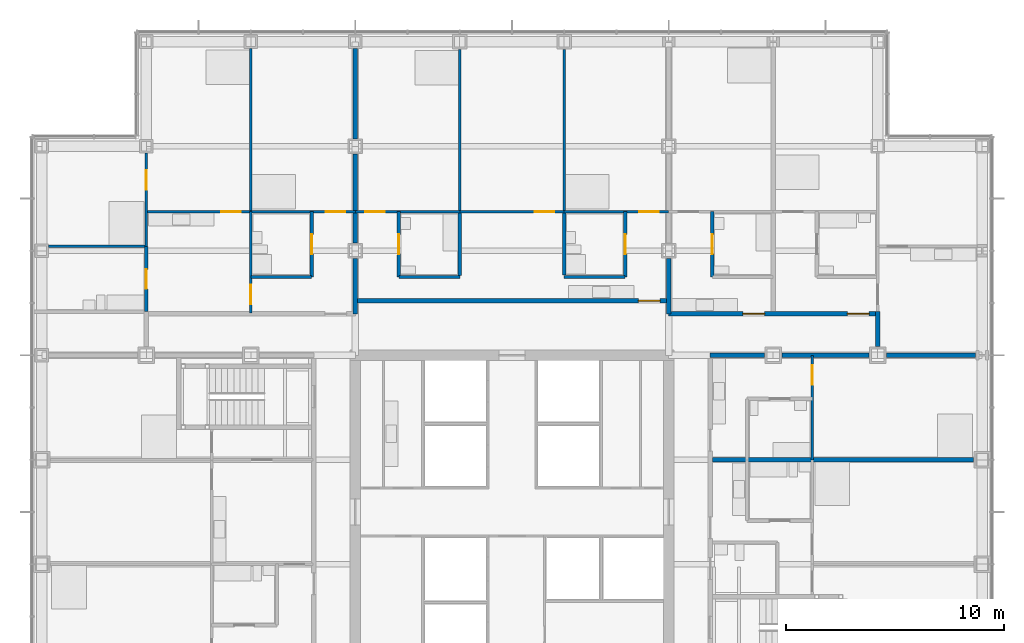
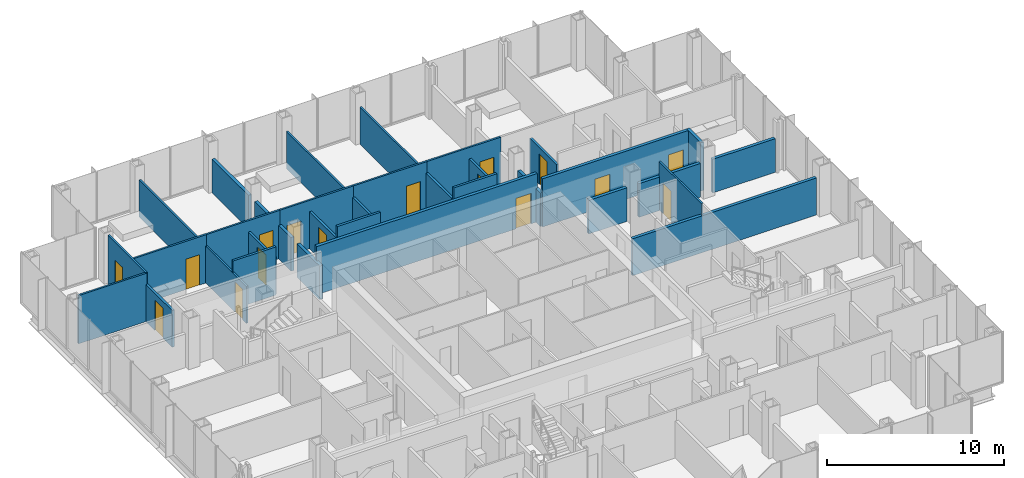
# One storey, part 17 of 21: 33 walls, 16 doors, 16 openings.
"""IFC4 building model written with IfcOpenShell, lengths in metres."""

import ifcopenshell
import ifcopenshell.guid

model = None  # the IFC model being written
_history = None  # IfcOwnerHistory: only IFC2X3 demands one
_inside = {}  # id of a spatial element -> (the spatial element, [elements in it])
_under = {}  # id of a project, library or spatial element -> (it, [spatial elements below it])
_declared = {}  # id of a project -> (the project, [libraries it declares])
_typed = {}  # id of a type object -> (the type object, [elements of that type])
_made_of = {}  # id of a material, layer set ... -> (it, [elements and type objects made of it])


def new_model(schema):
    """Start an empty IFC model of exactly this schema.

    Asked for "IFC4X3", IfcOpenShell would pick the latest addendum, in which some entities
    have other attributes; the version numbers below select the first issue.
    IFC2X3 requires an IfcOwnerHistory on every rooted entity: one is made here for all.
    """
    global model, _history
    if schema == "IFC4X3":
        model = ifcopenshell.file(schema_version=(4, 3, 0, 0))
    else:
        model = ifcopenshell.file(schema=schema)
    _inside.clear()
    _under.clear()
    _declared.clear()
    _typed.clear()
    _made_of.clear()
    _history = None
    if model.schema == "IFC2X3":
        org = make("IfcOrganization", Name="unknown")
        user = make(
            "IfcPersonAndOrganization",
            ThePerson=make("IfcPerson", FamilyName="unknown"),
            TheOrganization=org,
        )
        app = make(
            "IfcApplication",
            ApplicationDeveloper=org,
            Version="unknown",
            ApplicationFullName="unknown",
            ApplicationIdentifier="unknown",
        )
        _history = make(
            "IfcOwnerHistory",
            OwningUser=user,
            OwningApplication=app,
            ChangeAction="ADDED",
            CreationDate=0,
        )
    return model


def make(cls, **values):
    """One entity of the class cls with the attributes given. An attribute that is None is left unset."""
    return model.create_entity(
        cls, **{name: value for name, value in values.items() if value is not None}
    )


def rooted(cls, **values):
    """An entity with a GlobalId (a new one), such as an element, a storey or a relation."""
    return make(cls, GlobalId=ifcopenshell.guid.new(), OwnerHistory=_history, **values)


def si_unit(unit_type, name, prefix=None):
    """IfcSIUnit, for example si_unit("LENGTHUNIT", "METRE", prefix="MILLI")."""
    return make("IfcSIUnit", UnitType=unit_type, Prefix=prefix, Name=name)


def assignment(units):
    """IfcUnitAssignment: the units of a project."""
    return None if units is None else make("IfcUnitAssignment", Units=units)


def point(xyz):
    """IfcCartesianPoint."""
    return None if xyz is None else make("IfcCartesianPoint", Coordinates=xyz)


def direction(xyz):
    """IfcDirection."""
    return None if xyz is None else make("IfcDirection", DirectionRatios=xyz)


def frame(location, z_axis=None, x_axis=None):
    """IfcAxis2Placement3D, a coordinate frame: its origin and axes. An axis left out is left unset."""
    return make(
        "IfcAxis2Placement3D",
        Location=point(location),
        Axis=direction(z_axis),
        RefDirection=direction(x_axis),
    )


def frame_2d(location, x_axis=None):
    """IfcAxis2Placement2D, a coordinate frame in the plane: its origin and x axis."""
    return make(
        "IfcAxis2Placement2D", Location=point(location), RefDirection=direction(x_axis)
    )


def origin():
    """The frame at (0, 0, 0) with its axes left unset."""
    return frame((0.0, 0.0, 0.0))


def place(relative_to, where):
    """IfcLocalPlacement: puts the frame where relative to a parent placement (None: the world)."""
    return make(
        "IfcLocalPlacement", PlacementRelTo=relative_to, RelativePlacement=where
    )


def context(
    kind, dimensions, precision=None, world=None, true_north=None, identifier=None
):
    """IfcGeometricRepresentationContext, for example the 3D "Model" context."""
    return make(
        "IfcGeometricRepresentationContext",
        ContextIdentifier=identifier,
        ContextType=kind,
        CoordinateSpaceDimension=dimensions,
        Precision=precision,
        WorldCoordinateSystem=world,
        TrueNorth=true_north,
    )


def subcontext(parent, identifier, kind, view, scale=None):
    """IfcGeometricRepresentationSubContext, for example "Body" below "Model"."""
    return make(
        "IfcGeometricRepresentationSubContext",
        ContextIdentifier=identifier,
        ContextType=kind,
        ParentContext=parent,
        TargetScale=scale,
        TargetView=view,
    )


def project(units=None, contexts=None):
    """IfcProject with its units and contexts."""
    return rooted(
        "IfcProject",
        Name="project",
        RepresentationContexts=contexts,
        UnitsInContext=assignment(units),
    )


def spatial(cls, under=None, at=None, **own):
    """A site, building, storey or space (cls), placed at a placement, below another one or the project."""
    s = rooted(cls, ObjectPlacement=at, **own)
    if under is not None:
        _under.setdefault(under.id(), (under, []))[1].append(s)
    return s


def profile(cls, at=None, kind="AREA", **sizes):
    """A parametric profile (cls). Its sizes go by their IFC names, for example OverallWidth=200.0."""
    return make(cls, ProfileType=kind, Position=at, **sizes)


def rectangle(**sizes):
    """IfcRectangleProfileDef."""
    return profile("IfcRectangleProfileDef", **sizes)


def extrude(swept, where, along, depth):
    """IfcExtrudedAreaSolid: the profile swept, set in the frame where, extruded along a direction by depth."""
    return make(
        "IfcExtrudedAreaSolid",
        SweptArea=swept,
        Position=where,
        ExtrudedDirection=direction(along),
        Depth=depth,
    )


def shape(context_of_items, identifier, shape_type, items):
    """IfcShapeRepresentation: the items that make up one representation, for example the "Body"."""
    return make(
        "IfcShapeRepresentation",
        ContextOfItems=context_of_items,
        RepresentationIdentifier=identifier,
        RepresentationType=shape_type,
        Items=items,
    )


def material(Name=None, Category=None):
    """IfcMaterial."""
    return make("IfcMaterial", Name=Name, Category=Category)


def layer(
    of_material, thickness, ventilated=None, Name=None, Category=None, Priority=None
):
    """IfcMaterialLayer: one layer of a wall or slab, of a material (None: an air gap)."""
    return make(
        "IfcMaterialLayer",
        Material=of_material,
        LayerThickness=thickness,
        IsVentilated=ventilated,
        Name=Name,
        Category=Category,
        Priority=Priority,
    )


def layer_set(layers, Name=None):
    """IfcMaterialLayerSet."""
    return make("IfcMaterialLayerSet", MaterialLayers=layers, LayerSetName=Name)


def made_of(thing, what):
    """Note that an element or type object is made of a material, layer set ...; save() writes the relation."""
    if what is not None:
        _made_of.setdefault(what.id(), (what, []))[1].append(thing)
    return thing


def type_object(cls, material=None, **own):
    """A type object (cls), such as IfcWallType, which elements share."""
    return made_of(rooted(cls, **own), material)


def element(
    cls,
    number,
    at=None,
    inside=None,
    cuts=None,
    type_object=None,
    material=None,
    context=None,
    identifier="Body",
    shape_type=None,
    held_by="IfcProductDefinitionShape",
    body=None,
    shapes=None,
    **own,
):
    """One element of the class cls, such as IfcWall. Its Tag is "e" and its number.

    at: its placement. inside: the storey or other place that contains it. cuts: it is an
    opening in that element (IfcRelVoidsElement). A single representation is given by context,
    identifier, shape_type and body (its items); several are given by shapes. held_by: the class
    of the entity that holds the representations. save() writes the other relations.
    """
    e = rooted(cls, Tag="e%d" % number, ObjectPlacement=at, **own)
    if body is not None:
        shapes = [shape(context, identifier, shape_type, body)]
    if shapes is not None:
        e.Representation = make(held_by, Representations=shapes)
    if inside is not None:
        _inside.setdefault(inside.id(), (inside, []))[1].append(e)
    if cuts is not None:
        rooted(
            "IfcRelVoidsElement", RelatingBuildingElement=cuts, RelatedOpeningElement=e
        )
    if type_object is not None:
        _typed.setdefault(type_object.id(), (type_object, []))[1].append(e)
    return made_of(e, material)


def fill(opening, filler):
    """IfcRelFillsElement: the door or window that sits in an opening."""
    return rooted(
        "IfcRelFillsElement",
        RelatingOpeningElement=opening,
        RelatedBuildingElement=filler,
    )


def aggregate(whole, parts):
    """IfcRelAggregates: a whole, such as a stair, and the parts it consists of."""
    return rooted("IfcRelAggregates", RelatingObject=whole, RelatedObjects=parts)


def save(model, path):
    """Write the relations noted so far, then the file.

    IfcRelAggregates (storeys below a building ...), IfcRelContainedInSpatialStructure (elements
    in a storey), IfcRelDefinesByType, IfcRelAssociatesMaterial and IfcRelDeclares: one each for
    every whole, place, type object, material and project.
    """
    for whole, parts in _under.values():
        aggregate(whole, parts)
    for where, things in _inside.values():
        rooted(
            "IfcRelContainedInSpatialStructure",
            RelatedElements=things,
            RelatingStructure=where,
        )
    for kind, things in _typed.values():
        rooted("IfcRelDefinesByType", RelatedObjects=things, RelatingType=kind)
    for what, things in _made_of.values():
        rooted("IfcRelAssociatesMaterial", RelatedObjects=things, RelatingMaterial=what)
    for by, libraries in _declared.values():
        rooted("IfcRelDeclares", RelatingContext=by, RelatedDefinitions=libraries)
    model.write(path)


model = new_model("IFC4")

# Units and contexts
model_context = context("Model", 3, precision=1e-05, world=origin(), true_north=direction((0.0, 1.0)))
body_context = subcontext(model_context, "Body", "Model", "MODEL_VIEW")
ifc_project = project(units=[si_unit("LENGTHUNIT", "METRE"), si_unit("AREAUNIT", "SQUARE_METRE"), si_unit("VOLUMEUNIT", "CUBIC_METRE"), si_unit("PLANEANGLEUNIT", "RADIAN"), si_unit("MASSUNIT", "GRAM", prefix="KILO")], contexts=[model_context])

# Site, building, storey
site_placement = place(None, origin())
site = spatial("IfcSite", under=ifc_project, at=site_placement, CompositionType="ELEMENT")
building_placement = place(site_placement, origin())
building = spatial("IfcBuilding", under=site, at=building_placement, Name="Kvirike Care Tower", CompositionType="ELEMENT")
storey_placement = place(building_placement, frame((0.0, 0.0, 37.5)))
storey = spatial("IfcBuildingStorey", under=building, at=storey_placement, Name="L09", CompositionType="ELEMENT", Elevation=37.5)

# Wall, opening, door
ifc_material_1 = material(Name="Moisture-resistant board partition", Category="gypsum")
ifc_layer_1 = layer(ifc_material_1, 0.14990234375)
ifc_layer_set_1 = layer_set([ifc_layer_1], Name="BATHROOM WALL 150")
wall_type_1 = type_object("IfcWallType", Name="BATHROOM WALL 150", PredefinedType="PARTITIONING", material=ifc_layer_set_1)
wall_1_placement = place(storey_placement, frame((12.39990234375, 49.800048828125, 0.0), z_axis=(0.0, 0.0, 1.0), x_axis=(0.0, -1.0, 0.0)))
wall_1 = element("IfcWall", 1, at=wall_1_placement, inside=storey, type_object=wall_type_1, Name="Bathroom Wall 150 L09", PredefinedType="PARTITIONING", context=body_context, shape_type="SweptSolid", body=[
    extrude(rectangle(XDim=3.0, YDim=0.14990234375, at=frame_2d((1.5, 0.0))), origin(), (0.0, 0.0, 1.0), 2.550048828125),
])
opening_1_placement = place(wall_1_placement, frame((1.050048828125, 0.0, 0.0)))
opening_1 = element("IfcOpeningElement", 2, at=opening_1_placement, cuts=wall_1, Name="Opening 09-017", PredefinedType="OPENING", context=body_context, shape_type="SweptSolid", body=[
    extrude(rectangle(XDim=0.89990234375, YDim=2.10009765625, at=frame_2d((0.449951171875, 1.050048828125))), frame((0.0, 0.08544921875, 0.0), z_axis=(0.0, -1.0, 0.0), x_axis=(1.0, 0.0, 0.0)), (0.0, 0.0, 1.0), 0.1708984375),
])
ifc_material_2 = material(Name="Timber door set", Category="wood")
door_type_1 = type_object("IfcDoorType", Name="BATHROOM DOOR 900", OperationType="SINGLE_SWING_RIGHT", PredefinedType="DOOR", material=ifc_material_2)
door_1_placement = place(opening_1_placement, frame((0.89990234375, 0.0, 0.0), z_axis=(0.0, 0.0, 1.0), x_axis=(-1.0, 0.0, 0.0)))
door_1 = element("IfcDoor", 3, at=door_1_placement, inside=storey, type_object=door_type_1, Name="Shower room door", OperationType="SINGLE_SWING_RIGHT", OverallHeight=2.10009765625, OverallWidth=0.89990234375, PredefinedType="DOOR", context=body_context, shape_type="SweptSolid", body=[
    extrude(rectangle(XDim=0.89990234375, YDim=2.10009765625, at=frame_2d((0.449951171875, 1.050048828125))), frame((0.0, 0.02197265625, 0.0), z_axis=(0.0, -1.0, 0.0), x_axis=(1.0, 0.0, 0.0)), (0.0, 0.0, 1.0), 0.0439453125),
])
fill(opening_1, door_1)

# Wall
wall_2_placement = place(storey_placement, frame((12.39990234375, 46.800048828125, 0.0), z_axis=(0.0, 0.0, 1.0), x_axis=(-1.0, 0.0, 0.0)))
element("IfcWall", 4, at=wall_2_placement, inside=storey, type_object=wall_type_1, Name="Bathroom Wall 150 L09", PredefinedType="PARTITIONING", context=body_context, shape_type="SweptSolid", body=[
    extrude(rectangle(XDim=2.7998046875, YDim=0.14990234375, at=frame_2d((1.39990234375, 0.0))), origin(), (0.0, 0.0, 1.0), 3.330078125),
])

# Wall, opening, door
wall_3_placement = place(storey_placement, frame((4.800048828125, 48.199951171875, 0.0), z_axis=(0.0, 0.0, 1.0), x_axis=(0.0, -1.0, 0.0)))
wall_3 = element("IfcWall", 5, at=wall_3_placement, inside=storey, type_object=wall_type_1, Name="Bathroom Wall 150 L09", PredefinedType="PARTITIONING", context=body_context, shape_type="SweptSolid", body=[
    extrude(rectangle(XDim=3.0, YDim=0.14990234375, at=frame_2d((1.5, 0.0))), origin(), (0.0, 0.0, 1.0), 2.550048828125),
])
opening_2_placement = place(wall_3_placement, frame((1.050048828125, 0.0, 0.0)))
opening_2 = element("IfcOpeningElement", 6, at=opening_2_placement, cuts=wall_3, Name="Opening 09-018", PredefinedType="OPENING", context=body_context, shape_type="SweptSolid", body=[
    extrude(rectangle(XDim=0.89990234375, YDim=2.10009765625, at=frame_2d((0.449951171875, 1.050048828125))), frame((0.0, 0.08544921875, 0.0), z_axis=(0.0, -1.0, 0.0), x_axis=(1.0, 0.0, 0.0)), (0.0, 0.0, 1.0), 0.1708984375),
])
door_2_placement = place(opening_2_placement, frame((0.89990234375, 0.0, 0.0), z_axis=(0.0, 0.0, 1.0), x_axis=(-1.0, 0.0, 0.0)))
door_2 = element("IfcDoor", 7, at=door_2_placement, inside=storey, type_object=door_type_1, Name="Bathroom door", OperationType="SINGLE_SWING_LEFT", OverallHeight=2.10009765625, OverallWidth=0.89990234375, PredefinedType="DOOR", context=body_context, shape_type="SweptSolid", body=[
    extrude(rectangle(XDim=0.89990234375, YDim=2.10009765625, at=frame_2d((0.449951171875, 1.050048828125))), frame((0.0, 0.02197265625, 0.0), z_axis=(0.0, -1.0, 0.0), x_axis=(1.0, 0.0, 0.0)), (0.0, 0.0, 1.0), 0.0439453125),
])
fill(opening_2, door_2)

wall_4_placement = place(storey_placement, frame((26.800048828125, 49.800048828125, 0.0), z_axis=(0.0, 0.0, 1.0), x_axis=(0.0, -1.0, 0.0)))
wall_4 = element("IfcWall", 8, at=wall_4_placement, inside=storey, type_object=wall_type_1, Name="Bathroom Wall 150 L09", PredefinedType="PARTITIONING", context=body_context, shape_type="SweptSolid", body=[
    extrude(rectangle(XDim=3.0, YDim=0.14990234375, at=frame_2d((1.5, 0.0))), origin(), (0.0, 0.0, 1.0), 2.550048828125),
])
opening_3_placement = place(wall_4_placement, frame((1.050048828125, 0.0, 0.0)))
opening_3 = element("IfcOpeningElement", 9, at=opening_3_placement, cuts=wall_4, Name="Opening 09-033", PredefinedType="OPENING", context=body_context, shape_type="SweptSolid", body=[
    extrude(rectangle(XDim=0.89990234375, YDim=2.10009765625, at=frame_2d((0.449951171875, 1.050048828125))), frame((0.0, 0.08544921875, 0.0), z_axis=(0.0, -1.0, 0.0), x_axis=(1.0, 0.0, 0.0)), (0.0, 0.0, 1.0), 0.1708984375),
])
door_3_placement = place(opening_3_placement, frame((0.89990234375, 0.0, 0.0), z_axis=(0.0, 0.0, 1.0), x_axis=(-1.0, 0.0, 0.0)))
door_3 = element("IfcDoor", 10, at=door_3_placement, inside=storey, type_object=door_type_1, Name="Shower room door", OperationType="SINGLE_SWING_LEFT", OverallHeight=2.10009765625, OverallWidth=0.89990234375, PredefinedType="DOOR", context=body_context, shape_type="SweptSolid", body=[
    extrude(rectangle(XDim=0.89990234375, YDim=2.10009765625, at=frame_2d((0.449951171875, 1.050048828125))), frame((0.0, 0.02197265625, 0.0), z_axis=(0.0, -1.0, 0.0), x_axis=(1.0, 0.0, 0.0)), (0.0, 0.0, 1.0), 0.0439453125),
])
fill(opening_3, door_3)

# Wall
wall_5_placement = place(storey_placement, frame((26.800048828125, 46.800048828125, 0.0), z_axis=(0.0, 0.0, 1.0), x_axis=(-1.0, 0.0, 0.0)))
element("IfcWall", 11, at=wall_5_placement, inside=storey, type_object=wall_type_1, Name="Bathroom Wall 150 L09", PredefinedType="PARTITIONING", context=body_context, shape_type="SweptSolid", body=[
    extrude(rectangle(XDim=2.800048828125, YDim=0.14990234375, at=frame_2d((1.39990234375, 0.0))), origin(), (0.0, 0.0, 1.0), 3.330078125),
])

# Wall, opening, door
wall_6_placement = place(storey_placement, frame((16.39990234375, 49.800048828125, 0.0), z_axis=(0.0, 0.0, 1.0), x_axis=(0.0, -1.0, 0.0)))
wall_6 = element("IfcWall", 12, at=wall_6_placement, inside=storey, type_object=wall_type_1, Name="Bathroom Wall 150 L09", PredefinedType="PARTITIONING", context=body_context, shape_type="SweptSolid", body=[
    extrude(rectangle(XDim=3.0, YDim=0.14990234375, at=frame_2d((1.5, 0.0))), origin(), (0.0, 0.0, 1.0), 2.550048828125),
])
opening_4_placement = place(wall_6_placement, frame((1.050048828125, 0.0, 0.0)))
opening_4 = element("IfcOpeningElement", 13, at=opening_4_placement, cuts=wall_6, Name="Opening 09-034", PredefinedType="OPENING", context=body_context, shape_type="SweptSolid", body=[
    extrude(rectangle(XDim=0.89990234375, YDim=2.10009765625, at=frame_2d((0.449951171875, 1.050048828125))), frame((0.0, 0.08544921875, 0.0), z_axis=(0.0, -1.0, 0.0), x_axis=(1.0, 0.0, 0.0)), (0.0, 0.0, 1.0), 0.1708984375),
])
door_4_placement = place(opening_4_placement, origin())
door_4 = element("IfcDoor", 14, at=door_4_placement, inside=storey, type_object=door_type_1, Name="Bathroom door", OperationType="SINGLE_SWING_LEFT", OverallHeight=2.10009765625, OverallWidth=0.89990234375, PredefinedType="DOOR", context=body_context, shape_type="SweptSolid", body=[
    extrude(rectangle(XDim=0.89990234375, YDim=2.10009765625, at=frame_2d((0.449951171875, 1.050048828125))), frame((0.0, 0.02197265625, 0.0), z_axis=(0.0, -1.0, 0.0), x_axis=(1.0, 0.0, 0.0)), (0.0, 0.0, 1.0), 0.0439453125),
])
fill(opening_4, door_4)

# Wall
wall_7_placement = place(storey_placement, frame((19.199951171875, 46.800048828125, 0.0), z_axis=(0.0, 0.0, 1.0), x_axis=(-1.0, 0.0, 0.0)))
element("IfcWall", 15, at=wall_7_placement, inside=storey, type_object=wall_type_1, Name="Bathroom Wall 150 L09", PredefinedType="PARTITIONING", context=body_context, shape_type="SweptSolid", body=[
    extrude(rectangle(XDim=2.800048828125, YDim=0.14990234375, at=frame_2d((1.39990234375, 0.0))), origin(), (0.0, 0.0, 1.0), 3.330078125),
])

# Wall, opening, door
wall_8_placement = place(storey_placement, frame((30.800048828125, 49.800048828125, 0.0), z_axis=(0.0, 0.0, 1.0), x_axis=(0.0, -1.0, 0.0)))
wall_8 = element("IfcWall", 16, at=wall_8_placement, inside=storey, type_object=wall_type_1, Name="Bathroom Wall 150 L09", PredefinedType="PARTITIONING", context=body_context, shape_type="SweptSolid", body=[
    extrude(rectangle(XDim=3.0, YDim=0.14990234375, at=frame_2d((1.5, 0.0))), origin(), (0.0, 0.0, 1.0), 2.550048828125),
])
opening_5_placement = place(wall_8_placement, frame((1.050048828125, 0.0, 0.0)))
opening_5 = element("IfcOpeningElement", 17, at=opening_5_placement, cuts=wall_8, Name="Opening 09-060", PredefinedType="OPENING", context=body_context, shape_type="SweptSolid", body=[
    extrude(rectangle(XDim=0.89990234375, YDim=2.10009765625, at=frame_2d((0.449951171875, 1.050048828125))), frame((0.0, 0.08544921875, 0.0), z_axis=(0.0, -1.0, 0.0), x_axis=(1.0, 0.0, 0.0)), (0.0, 0.0, 1.0), 0.1708984375),
])
door_5_placement = place(opening_5_placement, origin())
door_5 = element("IfcDoor", 18, at=door_5_placement, inside=storey, type_object=door_type_1, Name="Bathroom door", OperationType="SINGLE_SWING_LEFT", OverallHeight=2.10009765625, OverallWidth=0.89990234375, PredefinedType="DOOR", context=body_context, shape_type="SweptSolid", body=[
    extrude(rectangle(XDim=0.89990234375, YDim=2.10009765625, at=frame_2d((0.449951171875, 1.050048828125))), frame((0.0, 0.02197265625, 0.0), z_axis=(0.0, -1.0, 0.0), x_axis=(1.0, 0.0, 0.0)), (0.0, 0.0, 1.0), 0.0439453125),
])
fill(opening_5, door_5)

# Walls
for number, where, z_axis, x_axis, name in (
    (19, (24.0, 46.875, 0.0), (0.0, 0.0, 1.0), (0.0, 1.0, 0.0), "Bathroom Wall 150 L09"),
    (20, (19.199951171875, 49.739990234375, 0.0), (0.0, 0.0, 1.0), (0.0, -1.0, 0.0), "Bathroom Wall 150 L09"),
):
    element("IfcWall", number, at=place(storey_placement, frame(where, z_axis=z_axis, x_axis=x_axis)), inside=storey, type_object=wall_type_1, Name=name, PredefinedType="PARTITIONING", context=body_context, shape_type="SweptSolid", body=[
        extrude(rectangle(XDim=2.864990234375, YDim=0.14990234375, at=frame_2d((1.4326171875, 0.0))), origin(), (0.0, 0.0, 1.0), 2.550048828125),
    ])

# Wall, opening, door
ifc_material_3 = material(Name="Plasterboard corridor wall", Category="gypsum")
ifc_layer_2 = layer(ifc_material_3, 0.199951171875)
ifc_layer_set_2 = layer_set([ifc_layer_2], Name="CORRIDOR WALL 200")
wall_type_2 = type_object("IfcWallType", Name="CORRIDOR WALL 200", PredefinedType="PARTITIONING", material=ifc_layer_set_2)
wall_9_placement = place(storey_placement, frame((28.800048828125, 45.699951171875, 0.0), z_axis=(0.0, 0.0, 1.0), x_axis=(-1.0, 0.0, 0.0)))
wall_9 = element("IfcWall", 21, at=wall_9_placement, inside=storey, type_object=wall_type_2, Name="Corridor Wall 200 L09", PredefinedType="PARTITIONING", context=body_context, shape_type="SweptSolid", body=[
    extrude(rectangle(XDim=14.400146484375, YDim=0.199951171875, at=frame_2d((7.2001953125, 0.0))), origin(), (0.0, 0.0, 1.0), 3.330078125),
])
opening_6_placement = place(wall_9_placement, frame((0.39990234375, 0.0, 0.0)))
opening_6 = element("IfcOpeningElement", 22, at=opening_6_placement, cuts=wall_9, Name="Opening 09-038", PredefinedType="OPENING", context=body_context, shape_type="SweptSolid", body=[
    extrude(rectangle(XDim=1.0, YDim=2.10009765625, at=frame_2d((0.5, 1.050048828125))), frame((0.0, 0.110595703125, 0.0), z_axis=(0.0, -1.0, 0.0), x_axis=(1.0, 0.0, 0.0)), (0.0, 0.0, 1.0), 0.220947265625),
])
ifc_material_4 = material(Name="Timber door set", Category="wood")
door_type_2 = type_object("IfcDoorType", Name="FLAT ENTRANCE DOOR 1000", OperationType="SINGLE_SWING_LEFT", PredefinedType="DOOR", material=ifc_material_4)
door_6_placement = place(opening_6_placement, frame((1.0, 0.0, 0.0), z_axis=(0.0, 0.0, 1.0), x_axis=(-1.0, 0.0, 0.0)))
door_6 = element("IfcDoor", 23, at=door_6_placement, inside=storey, type_object=door_type_2, Name="Two-bedroom apartment entrance", OperationType="SINGLE_SWING_LEFT", OverallHeight=2.10009765625, OverallWidth=1.0, PredefinedType="DOOR", context=body_context, shape_type="SweptSolid", body=[
    extrude(rectangle(XDim=1.0, YDim=2.10009765625, at=frame_2d((0.5, 1.050048828125))), frame((0.0, 0.02685546875, 0.0), z_axis=(0.0, -1.0, 0.0), x_axis=(1.0, 0.0, 0.0)), (0.0, 0.0, 1.0), 0.053955078125),
])
fill(opening_6, door_6)

# Wall, openings, doors
wall_10_placement = place(storey_placement, frame((38.39990234375, 45.10009765625, 0.0), z_axis=(0.0, 0.0, 1.0), x_axis=(-1.0, 0.0, 0.0)))
wall_10 = element("IfcWall", 24, at=wall_10_placement, inside=storey, type_object=wall_type_2, Name="Corridor Wall 200 L09", PredefinedType="PARTITIONING", context=body_context, shape_type="SweptSolid", body=[
    extrude(rectangle(XDim=9.599853515625, YDim=0.199951171875, at=frame_2d((4.7998046875, 0.0))), origin(), (0.0, 0.0, 1.0), 3.330078125),
])
opening_7_placement = place(wall_10_placement, frame((0.39990234375, 0.0, 0.0)))
opening_7 = element("IfcOpeningElement", 25, at=opening_7_placement, cuts=wall_10, Name="Opening 09-062", PredefinedType="OPENING", context=body_context, shape_type="SweptSolid", body=[
    extrude(rectangle(XDim=1.0, YDim=2.10009765625, at=frame_2d((0.5, 1.050048828125))), frame((0.0, 0.110595703125, 0.0), z_axis=(0.0, -1.0, 0.0), x_axis=(1.0, 0.0, 0.0)), (0.0, 0.0, 1.0), 0.220947265625),
])
opening_8_placement = place(wall_10_placement, frame((5.199951171875, 0.0, 0.0)))
opening_8 = element("IfcOpeningElement", 26, at=opening_8_placement, cuts=wall_10, Name="Opening 09-063", PredefinedType="OPENING", context=body_context, shape_type="SweptSolid", body=[
    extrude(rectangle(XDim=1.0, YDim=2.10009765625, at=frame_2d((0.5, 1.050048828125))), frame((0.0, 0.110595703125, 0.0), z_axis=(0.0, -1.0, 0.0), x_axis=(1.0, 0.0, 0.0)), (0.0, 0.0, 1.0), 0.220947265625),
])
door_7_placement = place(opening_7_placement, frame((1.0, 0.0, 0.0), z_axis=(0.0, 0.0, 1.0), x_axis=(-1.0, 0.0, 0.0)))
door_7 = element("IfcDoor", 27, at=door_7_placement, inside=storey, type_object=door_type_2, Name="One-bedroom apartment entrance", OperationType="SINGLE_SWING_LEFT", OverallHeight=2.10009765625, OverallWidth=1.0, PredefinedType="DOOR", context=body_context, shape_type="SweptSolid", body=[
    extrude(rectangle(XDim=1.0, YDim=2.10009765625, at=frame_2d((0.5, 1.050048828125))), frame((0.0, 0.02685546875, 0.0), z_axis=(0.0, -1.0, 0.0), x_axis=(1.0, 0.0, 0.0)), (0.0, 0.0, 1.0), 0.053955078125),
])
fill(opening_7, door_7)
door_8_placement = place(opening_8_placement, frame((1.0, 0.0, 0.0), z_axis=(0.0, 0.0, 1.0), x_axis=(-1.0, 0.0, 0.0)))
door_8 = element("IfcDoor", 28, at=door_8_placement, inside=storey, type_object=door_type_2, Name="Studio apartment entrance", OperationType="SINGLE_SWING_LEFT", OverallHeight=2.10009765625, OverallWidth=1.0, PredefinedType="DOOR", context=body_context, shape_type="SweptSolid", body=[
    extrude(rectangle(XDim=1.0, YDim=2.10009765625, at=frame_2d((0.5, 1.050048828125))), frame((0.0, 0.02685546875, 0.0), z_axis=(0.0, -1.0, 0.0), x_axis=(1.0, 0.0, 0.0)), (0.0, 0.0, 1.0), 0.053955078125),
])
fill(opening_8, door_8)

# Wall
wall_11_placement = place(storey_placement, frame((38.39990234375, 45.199951171875, 0.0), z_axis=(0.0, 0.0, 1.0), x_axis=(0.0, -1.0, 0.0)))
element("IfcWall", 29, at=wall_11_placement, inside=storey, type_object=wall_type_2, Name="Corridor Wall 200 L09", PredefinedType="PARTITIONING", context=body_context, shape_type="SweptSolid", body=[
    extrude(rectangle(XDim=1.60498046875, YDim=0.199951171875, at=frame_2d((0.802490234375, 0.0))), origin(), (0.0, 0.0, 1.0), 3.330078125),
])

# Wall, opening, door
ifc_material_5 = material(Name="Plasterboard partition", Category="gypsum")
ifc_layer_3 = layer(ifc_material_5, 0.1201171875)
ifc_layer_set_3 = layer_set([ifc_layer_3], Name="PARTITION 120")
wall_type_3 = type_object("IfcWallType", Name="PARTITION 120", PredefinedType="PARTITIONING", material=ifc_layer_set_3)
wall_12_placement = place(storey_placement, frame((9.60009765625, 49.800048828125, 0.0), z_axis=(0.0, 0.0, 1.0), x_axis=(0.0, -1.0, 0.0)))
wall_12 = element("IfcWall", 30, at=wall_12_placement, inside=storey, type_object=wall_type_3, Name="Partition 120 L09", PredefinedType="PARTITIONING", context=body_context, shape_type="SweptSolid", body=[
    extrude(rectangle(XDim=4.650146484375, YDim=0.1201171875, at=frame_2d((2.3251953125, 0.0))), origin(), (0.0, 0.0, 1.0), 2.550048828125),
])
opening_9_placement = place(wall_12_placement, frame((3.35009765625, 0.0, 0.0)))
opening_9 = element("IfcOpeningElement", 31, at=opening_9_placement, cuts=wall_12, Name="Opening 09-019", PredefinedType="OPENING", context=body_context, shape_type="SweptSolid", body=[
    extrude(rectangle(XDim=0.89990234375, YDim=2.10009765625, at=frame_2d((0.449951171875, 1.050048828125))), frame((0.0, 0.070556640625, 0.0), z_axis=(0.0, -1.0, 0.0), x_axis=(1.0, 0.0, 0.0)), (0.0, 0.0, 1.0), 0.14111328125),
])
ifc_material_6 = material(Name="Timber door set", Category="wood")
door_type_3 = type_object("IfcDoorType", Name="INTERNAL DOOR 900", OperationType="SINGLE_SWING_LEFT", PredefinedType="DOOR", material=ifc_material_6)
door_9_placement = place(opening_9_placement, origin())
door_9 = element("IfcDoor", 32, at=door_9_placement, inside=storey, type_object=door_type_3, Name="Hall door", OperationType="SINGLE_SWING_RIGHT", OverallHeight=2.10009765625, OverallWidth=0.89990234375, PredefinedType="DOOR", context=body_context, shape_type="SweptSolid", body=[
    extrude(rectangle(XDim=0.89990234375, YDim=2.10009765625, at=frame_2d((0.449951171875, 1.050048828125))), frame((0.0, 0.02197265625, 0.0), z_axis=(0.0, -1.0, 0.0), x_axis=(1.0, 0.0, 0.0)), (0.0, 0.0, 1.0), 0.0439453125),
])
fill(opening_9, door_9)

wall_13_placement = place(storey_placement, frame((14.39990234375, 49.800048828125, 0.0), z_axis=(0.0, 0.0, 1.0), x_axis=(-1.0, 0.0, 0.0)))
wall_13 = element("IfcWall", 33, at=wall_13_placement, inside=storey, type_object=wall_type_3, Name="Partition 120 L09", PredefinedType="PARTITIONING", context=body_context, shape_type="SweptSolid", body=[
    extrude(rectangle(XDim=4.7998046875, YDim=0.1201171875, at=frame_2d((2.39990234375, 0.0))), origin(), (0.0, 0.0, 1.0), 3.330078125),
])
opening_10_placement = place(wall_13_placement, frame((0.449951171875, 0.0, 0.0)))
opening_10 = element("IfcOpeningElement", 34, at=opening_10_placement, cuts=wall_13, Name="Opening 09-020", PredefinedType="OPENING", context=body_context, shape_type="SweptSolid", body=[
    extrude(rectangle(XDim=0.89990234375, YDim=2.10009765625, at=frame_2d((0.449951171875, 1.050048828125))), frame((0.0, 0.070556640625, 0.0), z_axis=(0.0, -1.0, 0.0), x_axis=(1.0, 0.0, 0.0)), (0.0, 0.0, 1.0), 0.14111328125),
])
door_10_placement = place(opening_10_placement, origin())
door_10 = element("IfcDoor", 35, at=door_10_placement, inside=storey, type_object=door_type_3, Name="Apartment bedroom door", OperationType="SINGLE_SWING_RIGHT", OverallHeight=2.10009765625, OverallWidth=0.89990234375, PredefinedType="DOOR", context=body_context, shape_type="SweptSolid", body=[
    extrude(rectangle(XDim=0.89990234375, YDim=2.10009765625, at=frame_2d((0.449951171875, 1.050048828125))), frame((0.0, 0.02197265625, 0.0), z_axis=(0.0, -1.0, 0.0), x_axis=(1.0, 0.0, 0.0)), (0.0, 0.0, 1.0), 0.0439453125),
])
fill(opening_10, door_10)

wall_14_placement = place(storey_placement, frame((9.60009765625, 49.800048828125, 0.0), z_axis=(0.0, 0.0, 1.0), x_axis=(-1.0, 0.0, 0.0)))
wall_14 = element("IfcWall", 36, at=wall_14_placement, inside=storey, type_object=wall_type_3, Name="Partition 120 L09", PredefinedType="PARTITIONING", context=body_context, shape_type="SweptSolid", body=[
    extrude(rectangle(XDim=4.800048828125, YDim=0.1201171875, at=frame_2d((2.39990234375, 0.0))), origin(), (0.0, 0.0, 1.0), 3.330078125),
])
opening_11_placement = place(wall_14_placement, frame((0.449951171875, 0.0, 0.0)))
opening_11 = element("IfcOpeningElement", 37, at=opening_11_placement, cuts=wall_14, Name="Opening 09-021", PredefinedType="OPENING", context=body_context, shape_type="SweptSolid", body=[
    extrude(rectangle(XDim=0.89990234375, YDim=2.10009765625, at=frame_2d((0.449951171875, 1.050048828125))), frame((0.0, 0.070556640625, 0.0), z_axis=(0.0, -1.0, 0.0), x_axis=(1.0, 0.0, 0.0)), (0.0, 0.0, 1.0), 0.14111328125),
])
door_11_placement = place(opening_11_placement, origin())
door_11 = element("IfcDoor", 38, at=door_11_placement, inside=storey, type_object=door_type_3, Name="Apartment bedroom door", OperationType="SINGLE_SWING_RIGHT", OverallHeight=2.10009765625, OverallWidth=0.89990234375, PredefinedType="DOOR", context=body_context, shape_type="SweptSolid", body=[
    extrude(rectangle(XDim=0.89990234375, YDim=2.10009765625, at=frame_2d((0.449951171875, 1.050048828125))), frame((0.0, 0.02197265625, 0.0), z_axis=(0.0, -1.0, 0.0), x_axis=(1.0, 0.0, 0.0)), (0.0, 0.0, 1.0), 0.0439453125),
])
fill(opening_11, door_11)

# Walls
wall_15_placement = place(storey_placement, frame((4.800048828125, 48.199951171875, 0.0), z_axis=(0.0, 0.0, 1.0), x_axis=(-1.0, 0.0, 0.0)))
element("IfcWall", 39, at=wall_15_placement, inside=storey, type_object=wall_type_3, Name="Partition 120 L09", PredefinedType="PARTITIONING", context=body_context, shape_type="SweptSolid", body=[
    extrude(rectangle(XDim=4.47998046875, YDim=0.1201171875, at=frame_2d((2.239990234375, 0.0))), origin(), (0.0, 0.0, 1.0), 3.330078125),
])
wall_16_placement = place(storey_placement, frame((9.60009765625, 57.280029296875, 0.0), z_axis=(0.0, 0.0, 1.0), x_axis=(0.0, -1.0, 0.0)))
element("IfcWall", 40, at=wall_16_placement, inside=storey, type_object=wall_type_3, Name="Partition 120 L09", PredefinedType="PARTITIONING", context=body_context, shape_type="SweptSolid", body=[
    extrude(rectangle(XDim=7.47998046875, YDim=0.1201171875, at=frame_2d((3.739990234375, 0.0))), origin(), (0.0, 0.0, 1.0), 2.550048828125),
])

# Wall, opening, door
wall_17_placement = place(storey_placement, frame((4.800048828125, 52.47998046875, 0.0), z_axis=(0.0, 0.0, 1.0), x_axis=(0.0, -1.0, 0.0)))
wall_17 = element("IfcWall", 41, at=wall_17_placement, inside=storey, type_object=wall_type_3, Name="Partition 120 L09", PredefinedType="PARTITIONING", context=body_context, shape_type="SweptSolid", body=[
    extrude(rectangle(XDim=4.280029296875, YDim=0.1201171875, at=frame_2d((2.14013671875, 0.0))), origin(), (0.0, 0.0, 1.0), 3.330078125),
])
opening_12_placement = place(wall_17_placement, frame((0.780029296875, 0.0, 0.0)))
opening_12 = element("IfcOpeningElement", 42, at=opening_12_placement, cuts=wall_17, Name="Opening 09-022", PredefinedType="OPENING", context=body_context, shape_type="SweptSolid", body=[
    extrude(rectangle(XDim=0.89990234375, YDim=2.10009765625, at=frame_2d((0.449951171875, 1.050048828125))), frame((0.0, 0.070556640625, 0.0), z_axis=(0.0, -1.0, 0.0), x_axis=(1.0, 0.0, 0.0)), (0.0, 0.0, 1.0), 0.14111328125),
])
door_12_placement = place(opening_12_placement, frame((0.89990234375, 0.0, 0.0), z_axis=(0.0, 0.0, 1.0), x_axis=(-1.0, 0.0, 0.0)))
door_12 = element("IfcDoor", 43, at=door_12_placement, inside=storey, type_object=door_type_3, Name="Connecting door", OperationType="SINGLE_SWING_LEFT", OverallHeight=2.10009765625, OverallWidth=0.89990234375, PredefinedType="DOOR", context=body_context, shape_type="SweptSolid", body=[
    extrude(rectangle(XDim=0.89990234375, YDim=2.10009765625, at=frame_2d((0.449951171875, 1.050048828125))), frame((0.0, 0.02197265625, 0.0), z_axis=(0.0, -1.0, 0.0), x_axis=(1.0, 0.0, 0.0)), (0.0, 0.0, 1.0), 0.0439453125),
])
fill(opening_12, door_12)

wall_18_placement = place(storey_placement, frame((28.800048828125, 49.800048828125, 0.0), z_axis=(0.0, 0.0, 1.0), x_axis=(-1.0, 0.0, 0.0)))
wall_18 = element("IfcWall", 44, at=wall_18_placement, inside=storey, type_object=wall_type_3, Name="Partition 120 L09", PredefinedType="PARTITIONING", context=body_context, shape_type="SweptSolid", body=[
    extrude(rectangle(XDim=4.800048828125, YDim=0.1201171875, at=frame_2d((2.39990234375, 0.0))), origin(), (0.0, 0.0, 1.0), 3.330078125),
])
opening_13_placement = place(wall_18_placement, frame((0.449951171875, 0.0, 0.0)))
opening_13 = element("IfcOpeningElement", 45, at=opening_13_placement, cuts=wall_18, Name="Opening 09-035", PredefinedType="OPENING", context=body_context, shape_type="SweptSolid", body=[
    extrude(rectangle(XDim=0.89990234375, YDim=2.10009765625, at=frame_2d((0.449951171875, 1.050048828125))), frame((0.0, 0.070556640625, 0.0), z_axis=(0.0, -1.0, 0.0), x_axis=(1.0, 0.0, 0.0)), (0.0, 0.0, 1.0), 0.14111328125),
])
door_13_placement = place(opening_13_placement, frame((0.89990234375, 0.0, 0.0), z_axis=(0.0, 0.0, 1.0), x_axis=(-1.0, 0.0, 0.0)))
door_13 = element("IfcDoor", 46, at=door_13_placement, inside=storey, type_object=door_type_3, Name="Apartment bedroom door", OperationType="SINGLE_SWING_LEFT", OverallHeight=2.10009765625, OverallWidth=0.89990234375, PredefinedType="DOOR", context=body_context, shape_type="SweptSolid", body=[
    extrude(rectangle(XDim=0.89990234375, YDim=2.10009765625, at=frame_2d((0.449951171875, 1.050048828125))), frame((0.0, 0.02197265625, 0.0), z_axis=(0.0, -1.0, 0.0), x_axis=(1.0, 0.0, 0.0)), (0.0, 0.0, 1.0), 0.0439453125),
])
fill(opening_13, door_13)

wall_19_placement = place(storey_placement, frame((24.0, 49.800048828125, 0.0), z_axis=(0.0, 0.0, 1.0), x_axis=(-1.0, 0.0, 0.0)))
wall_19 = element("IfcWall", 47, at=wall_19_placement, inside=storey, type_object=wall_type_3, Name="Partition 120 L09", PredefinedType="PARTITIONING", context=body_context, shape_type="SweptSolid", body=[
    extrude(rectangle(XDim=4.800048828125, YDim=0.1201171875, at=frame_2d((2.39990234375, 0.0))), origin(), (0.0, 0.0, 1.0), 3.330078125),
])
opening_14_placement = place(wall_19_placement, frame((0.449951171875, 0.0, 0.0)))
opening_14 = element("IfcOpeningElement", 48, at=opening_14_placement, cuts=wall_19, Name="Opening 09-036", PredefinedType="OPENING", context=body_context, shape_type="SweptSolid", body=[
    extrude(rectangle(XDim=0.89990234375, YDim=2.10009765625, at=frame_2d((0.449951171875, 1.050048828125))), frame((0.0, 0.070556640625, 0.0), z_axis=(0.0, -1.0, 0.0), x_axis=(1.0, 0.0, 0.0)), (0.0, 0.0, 1.0), 0.14111328125),
])
door_14_placement = place(opening_14_placement, frame((0.89990234375, 0.0, 0.0), z_axis=(0.0, 0.0, 1.0), x_axis=(-1.0, 0.0, 0.0)))
door_14 = element("IfcDoor", 49, at=door_14_placement, inside=storey, type_object=door_type_3, Name="Apartment living room door", OperationType="SINGLE_SWING_RIGHT", OverallHeight=2.10009765625, OverallWidth=0.89990234375, PredefinedType="DOOR", context=body_context, shape_type="SweptSolid", body=[
    extrude(rectangle(XDim=0.89990234375, YDim=2.10009765625, at=frame_2d((0.449951171875, 1.050048828125))), frame((0.0, 0.02197265625, 0.0), z_axis=(0.0, -1.0, 0.0), x_axis=(1.0, 0.0, 0.0)), (0.0, 0.0, 1.0), 0.0439453125),
])
fill(opening_14, door_14)

wall_20_placement = place(storey_placement, frame((19.199951171875, 49.800048828125, 0.0), z_axis=(0.0, 0.0, 1.0), x_axis=(-1.0, 0.0, 0.0)))
wall_20 = element("IfcWall", 50, at=wall_20_placement, inside=storey, type_object=wall_type_3, Name="Partition 120 L09", PredefinedType="PARTITIONING", context=body_context, shape_type="SweptSolid", body=[
    extrude(rectangle(XDim=4.800048828125, YDim=0.1201171875, at=frame_2d((2.39990234375, 0.0))), origin(), (0.0, 0.0, 1.0), 3.330078125),
])
opening_15_placement = place(wall_20_placement, frame((3.449951171875, 0.0, 0.0)))
opening_15 = element("IfcOpeningElement", 51, at=opening_15_placement, cuts=wall_20, Name="Opening 09-037", PredefinedType="OPENING", context=body_context, shape_type="SweptSolid", body=[
    extrude(rectangle(XDim=0.89990234375, YDim=2.10009765625, at=frame_2d((0.449951171875, 1.050048828125))), frame((0.0, 0.070556640625, 0.0), z_axis=(0.0, -1.0, 0.0), x_axis=(1.0, 0.0, 0.0)), (0.0, 0.0, 1.0), 0.14111328125),
])
door_15_placement = place(opening_15_placement, frame((0.89990234375, 0.0, 0.0), z_axis=(0.0, 0.0, 1.0), x_axis=(-1.0, 0.0, 0.0)))
door_15 = element("IfcDoor", 52, at=door_15_placement, inside=storey, type_object=door_type_3, Name="Apartment bedroom door", OperationType="SINGLE_SWING_RIGHT", OverallHeight=2.10009765625, OverallWidth=0.89990234375, PredefinedType="DOOR", context=body_context, shape_type="SweptSolid", body=[
    extrude(rectangle(XDim=0.89990234375, YDim=2.10009765625, at=frame_2d((0.449951171875, 1.050048828125))), frame((0.0, 0.02197265625, 0.0), z_axis=(0.0, -1.0, 0.0), x_axis=(1.0, 0.0, 0.0)), (0.0, 0.0, 1.0), 0.0439453125),
])
fill(opening_15, door_15)

# Walls
for number, where, z_axis, x_axis, name in (
    (53, (24.0, 57.2548828125, 0.0), (0.0, 0.0, 1.0), (0.0, -1.0, 0.0), "Partition 120 L09"),
    (54, (19.199951171875, 57.2548828125, 0.0), (0.0, 0.0, 1.0), (0.0, -1.0, 0.0), "Partition 120 L09"),
):
    element("IfcWall", number, at=place(storey_placement, frame(where, z_axis=z_axis, x_axis=x_axis)), inside=storey, type_object=wall_type_3, Name=name, PredefinedType="PARTITIONING", context=body_context, shape_type="SweptSolid", body=[
        extrude(rectangle(XDim=7.454833984375, YDim=0.1201171875, at=frame_2d((3.7275390625, 0.0))), origin(), (0.0, 0.0, 1.0), 2.550048828125),
    ])

# Wall, opening, door
wall_21_placement = place(storey_placement, frame((35.39990234375, 38.39990234375, 0.0), z_axis=(0.0, 0.0, 1.0), x_axis=(0.0, 1.0, 0.0)))
wall_21 = element("IfcWall", 55, at=wall_21_placement, inside=storey, type_object=wall_type_3, Name="Partition 120 L09", PredefinedType="PARTITIONING", context=body_context, shape_type="SweptSolid", body=[
    extrude(rectangle(XDim=4.800048828125, YDim=0.1201171875, at=frame_2d((2.39990234375, 0.0))), origin(), (0.0, 0.0, 1.0), 3.330078125),
])
opening_16_placement = place(wall_21_placement, frame((3.449951171875, 0.0, 0.0)))
opening_16 = element("IfcOpeningElement", 56, at=opening_16_placement, cuts=wall_21, Name="Opening 09-051", PredefinedType="OPENING", context=body_context, shape_type="SweptSolid", body=[
    extrude(rectangle(XDim=0.89990234375, YDim=2.10009765625, at=frame_2d((0.449951171875, 1.050048828125))), frame((0.0, 0.070556640625, 0.0), z_axis=(0.0, -1.0, 0.0), x_axis=(1.0, 0.0, 0.0)), (0.0, 0.0, 1.0), 0.14111328125),
])
door_16_placement = place(opening_16_placement, origin())
door_16 = element("IfcDoor", 57, at=door_16_placement, inside=storey, type_object=door_type_3, Name="Studio apartment living room door", OperationType="SINGLE_SWING_LEFT", OverallHeight=2.10009765625, OverallWidth=0.89990234375, PredefinedType="DOOR", context=body_context, shape_type="SweptSolid", body=[
    extrude(rectangle(XDim=0.89990234375, YDim=2.10009765625, at=frame_2d((0.449951171875, 1.050048828125))), frame((0.0, 0.02197265625, 0.0), z_axis=(0.0, -1.0, 0.0), x_axis=(1.0, 0.0, 0.0)), (0.0, 0.0, 1.0), 0.0439453125),
])
fill(opening_16, door_16)

# Walls
ifc_material_7 = material(Name="Plasterboard party wall", Category="gypsum")
ifc_layer_4 = layer(ifc_material_7, 0.199951171875)
ifc_layer_set_4 = layer_set([ifc_layer_4], Name="PARTY WALL 200")
wall_type_4 = type_object("IfcWallType", Name="PARTY WALL 200", PredefinedType="PARTITIONING", material=ifc_layer_set_4)
wall_22_placement = place(storey_placement, frame((42.804931640625, 38.39990234375, 0.0), z_axis=(0.0, 0.0, 1.0), x_axis=(-1.0, 0.0, 0.0)))
element("IfcWall", 58, at=wall_22_placement, inside=storey, type_object=wall_type_4, Name="Party Wall 200 L09", PredefinedType="PARTITIONING", context=body_context, shape_type="SweptSolid", body=[
    extrude(rectangle(XDim=12.0048828125, YDim=0.199951171875, at=frame_2d((6.00244140625, 0.0))), origin(), (0.0, 0.0, 1.0), 2.550048828125),
])
wall_23_placement = place(storey_placement, frame((14.39990234375, 45.10009765625, 0.0), z_axis=(0.0, 0.0, 1.0), x_axis=(0.0, 1.0, 0.0)))
element("IfcWall", 59, at=wall_23_placement, inside=storey, type_object=wall_type_4, Name="Party Wall 200 L09", PredefinedType="PARTITIONING", context=body_context, shape_type="SweptSolid", body=[
    extrude(rectangle(XDim=2.554931640625, YDim=0.199951171875, at=frame_2d((1.27734375, 0.0))), origin(), (0.0, 0.0, 1.0), 2.320068359375),
])
wall_24_placement = place(storey_placement, frame((14.39990234375, 48.344970703125, 0.0), z_axis=(0.0, 0.0, 1.0), x_axis=(0.0, 1.0, 0.0)))
element("IfcWall", 60, at=wall_24_placement, inside=storey, type_object=wall_type_4, Name="Party Wall 200 L09", PredefinedType="PARTITIONING", context=body_context, shape_type="SweptSolid", body=[
    extrude(rectangle(XDim=4.110107421875, YDim=0.199951171875, at=frame_2d((2.05517578125, 0.0))), origin(), (0.0, 0.0, 1.0), 2.320068359375),
])
wall_25_placement = place(storey_placement, frame((14.39990234375, 53.14501953125, 0.0), z_axis=(0.0, 0.0, 1.0), x_axis=(0.0, 1.0, 0.0)))
element("IfcWall", 61, at=wall_25_placement, inside=storey, type_object=wall_type_4, Name="Party Wall 200 L09", PredefinedType="PARTITIONING", context=body_context, shape_type="SweptSolid", body=[
    extrude(rectangle(XDim=4.135009765625, YDim=0.199951171875, at=frame_2d((2.0673828125, 0.0))), origin(), (0.0, 0.0, 1.0), 2.320068359375),
])
wall_26_placement = place(storey_placement, frame((28.800048828125, 45.10009765625, 0.0), z_axis=(0.0, 0.0, 1.0), x_axis=(0.0, 1.0, 0.0)))
element("IfcWall", 62, at=wall_26_placement, inside=storey, type_object=wall_type_4, Name="Party Wall 200 L09", PredefinedType="PARTITIONING", context=body_context, shape_type="SweptSolid", body=[
    extrude(rectangle(XDim=2.554931640625, YDim=0.199951171875, at=frame_2d((1.27734375, 0.0))), origin(), (0.0, 0.0, 1.0), 2.320068359375),
])
wall_27_placement = place(storey_placement, frame((42.8955078125, 43.199951171875, 0.0), z_axis=(0.0, 0.0, 1.0), x_axis=(-1.0, 0.0, 0.0)))
element("IfcWall", 63, at=wall_27_placement, inside=storey, type_object=wall_type_4, Name="Party Wall 200 L09", PredefinedType="PARTITIONING", context=body_context, shape_type="SweptSolid", body=[
    extrude(rectangle(XDim=4.1005859375, YDim=0.199951171875, at=frame_2d((2.05029296875, 0.0))), origin(), (0.0, 0.0, 1.0), 2.320068359375),
])
wall_28_placement = place(storey_placement, frame((38.0048828125, 43.199951171875, 0.0), z_axis=(0.0, 0.0, 1.0), x_axis=(-1.0, 0.0, 0.0)))
element("IfcWall", 64, at=wall_28_placement, inside=storey, type_object=wall_type_4, Name="Party Wall 200 L09", PredefinedType="PARTITIONING", context=body_context, shape_type="SweptSolid", body=[
    extrude(rectangle(XDim=4.009765625, YDim=0.199951171875, at=frame_2d((2.0048828125, 0.0))), origin(), (0.0, 0.0, 1.0), 2.320068359375),
])
wall_29_placement = place(storey_placement, frame((33.205078125, 43.199951171875, 0.0), z_axis=(0.0, 0.0, 1.0), x_axis=(-1.0, 0.0, 0.0)))
element("IfcWall", 65, at=wall_29_placement, inside=storey, type_object=wall_type_4, Name="Party Wall 200 L09", PredefinedType="PARTITIONING", context=body_context, shape_type="SweptSolid", body=[
    extrude(rectangle(XDim=2.505126953125, YDim=0.199951171875, at=frame_2d((1.25244140625, 0.0))), origin(), (0.0, 0.0, 1.0), 2.320068359375),
])

save(model, "model.ifc")
